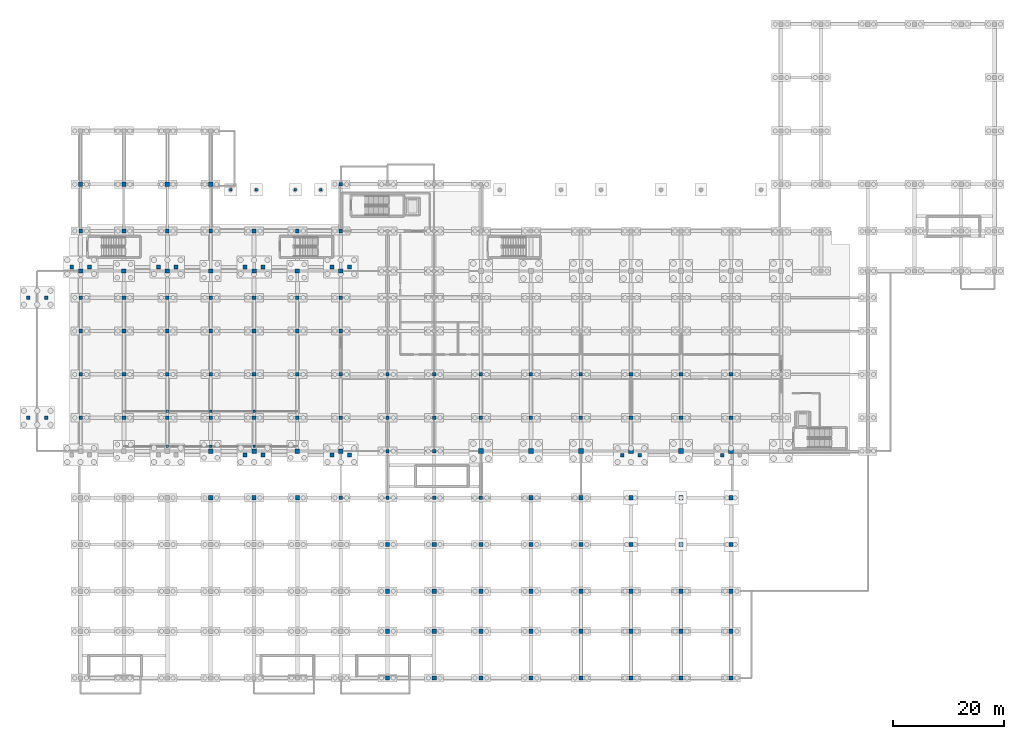
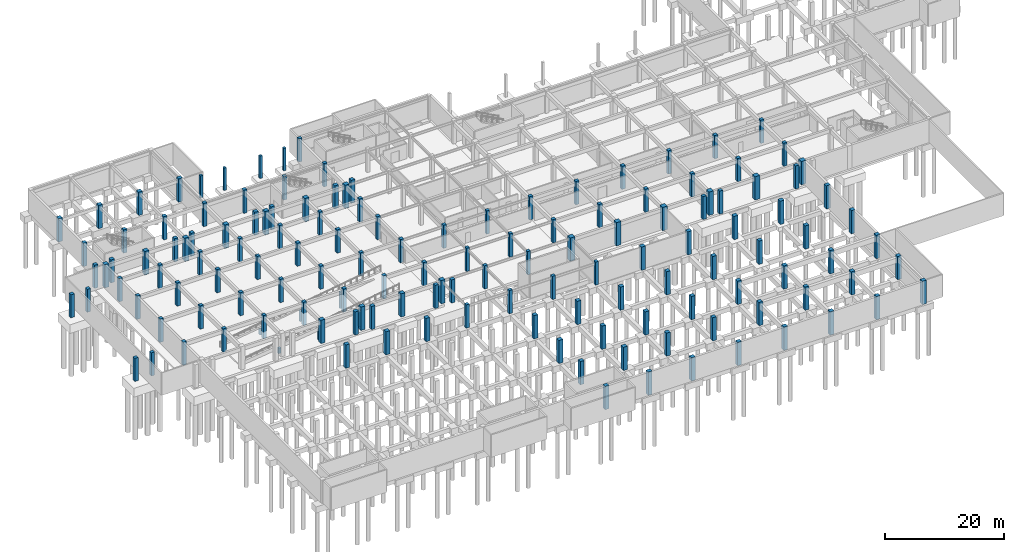
# One storey, part 10 of 26: 148 columns.
"""IFC4 building model written with IfcOpenShell, lengths in metres."""

import ifcopenshell
import ifcopenshell.guid

model = None  # the IFC model being written
_history = None  # IfcOwnerHistory: only IFC2X3 demands one
_inside = {}  # id of a spatial element -> (the spatial element, [elements in it])
_under = {}  # id of a project, library or spatial element -> (it, [spatial elements below it])
_declared = {}  # id of a project -> (the project, [libraries it declares])
_typed = {}  # id of a type object -> (the type object, [elements of that type])
_made_of = {}  # id of a material, layer set ... -> (it, [elements and type objects made of it])


def new_model(schema):
    """Start an empty IFC model of exactly this schema.

    Asked for "IFC4X3", IfcOpenShell would pick the latest addendum, in which some entities
    have other attributes; the version numbers below select the first issue.
    IFC2X3 requires an IfcOwnerHistory on every rooted entity: one is made here for all.
    """
    global model, _history
    if schema == "IFC4X3":
        model = ifcopenshell.file(schema_version=(4, 3, 0, 0))
    else:
        model = ifcopenshell.file(schema=schema)
    _inside.clear()
    _under.clear()
    _declared.clear()
    _typed.clear()
    _made_of.clear()
    _history = None
    if model.schema == "IFC2X3":
        org = make("IfcOrganization", Name="unknown")
        user = make(
            "IfcPersonAndOrganization",
            ThePerson=make("IfcPerson", FamilyName="unknown"),
            TheOrganization=org,
        )
        app = make(
            "IfcApplication",
            ApplicationDeveloper=org,
            Version="unknown",
            ApplicationFullName="unknown",
            ApplicationIdentifier="unknown",
        )
        _history = make(
            "IfcOwnerHistory",
            OwningUser=user,
            OwningApplication=app,
            ChangeAction="ADDED",
            CreationDate=0,
        )
    return model


def make(cls, **values):
    """One entity of the class cls with the attributes given. An attribute that is None is left unset."""
    return model.create_entity(
        cls, **{name: value for name, value in values.items() if value is not None}
    )


def rooted(cls, **values):
    """An entity with a GlobalId (a new one), such as an element, a storey or a relation."""
    return make(cls, GlobalId=ifcopenshell.guid.new(), OwnerHistory=_history, **values)


def si_unit(unit_type, name, prefix=None):
    """IfcSIUnit, for example si_unit("LENGTHUNIT", "METRE", prefix="MILLI")."""
    return make("IfcSIUnit", UnitType=unit_type, Prefix=prefix, Name=name)


def assignment(units):
    """IfcUnitAssignment: the units of a project."""
    return None if units is None else make("IfcUnitAssignment", Units=units)


def point(xyz):
    """IfcCartesianPoint."""
    return None if xyz is None else make("IfcCartesianPoint", Coordinates=xyz)


def direction(xyz):
    """IfcDirection."""
    return None if xyz is None else make("IfcDirection", DirectionRatios=xyz)


def frame(location, z_axis=None, x_axis=None):
    """IfcAxis2Placement3D, a coordinate frame: its origin and axes. An axis left out is left unset."""
    return make(
        "IfcAxis2Placement3D",
        Location=point(location),
        Axis=direction(z_axis),
        RefDirection=direction(x_axis),
    )


def frame_2d(location, x_axis=None):
    """IfcAxis2Placement2D, a coordinate frame in the plane: its origin and x axis."""
    return make(
        "IfcAxis2Placement2D", Location=point(location), RefDirection=direction(x_axis)
    )


def origin():
    """The frame at (0, 0, 0) with its axes left unset."""
    return frame((0.0, 0.0, 0.0))


def origin_2d():
    """The frame at (0, 0) in the plane with its x axis left unset."""
    return frame_2d((0.0, 0.0))


def place(relative_to, where):
    """IfcLocalPlacement: puts the frame where relative to a parent placement (None: the world)."""
    return make(
        "IfcLocalPlacement", PlacementRelTo=relative_to, RelativePlacement=where
    )


def context(
    kind, dimensions, precision=None, world=None, true_north=None, identifier=None
):
    """IfcGeometricRepresentationContext, for example the 3D "Model" context."""
    return make(
        "IfcGeometricRepresentationContext",
        ContextIdentifier=identifier,
        ContextType=kind,
        CoordinateSpaceDimension=dimensions,
        Precision=precision,
        WorldCoordinateSystem=world,
        TrueNorth=true_north,
    )


def subcontext(parent, identifier, kind, view, scale=None):
    """IfcGeometricRepresentationSubContext, for example "Body" below "Model"."""
    return make(
        "IfcGeometricRepresentationSubContext",
        ContextIdentifier=identifier,
        ContextType=kind,
        ParentContext=parent,
        TargetScale=scale,
        TargetView=view,
    )


def project(units=None, contexts=None):
    """IfcProject with its units and contexts."""
    return rooted(
        "IfcProject",
        Name="project",
        RepresentationContexts=contexts,
        UnitsInContext=assignment(units),
    )


def spatial(cls, under=None, at=None, **own):
    """A site, building, storey or space (cls), placed at a placement, below another one or the project."""
    s = rooted(cls, ObjectPlacement=at, **own)
    if under is not None:
        _under.setdefault(under.id(), (under, []))[1].append(s)
    return s


def profile(cls, at=None, kind="AREA", **sizes):
    """A parametric profile (cls). Its sizes go by their IFC names, for example OverallWidth=200.0."""
    return make(cls, ProfileType=kind, Position=at, **sizes)


def rectangle(**sizes):
    """IfcRectangleProfileDef."""
    return profile("IfcRectangleProfileDef", **sizes)


def extrude(swept, where, along, depth):
    """IfcExtrudedAreaSolid: the profile swept, set in the frame where, extruded along a direction by depth."""
    return make(
        "IfcExtrudedAreaSolid",
        SweptArea=swept,
        Position=where,
        ExtrudedDirection=direction(along),
        Depth=depth,
    )


def shape(context_of_items, identifier, shape_type, items):
    """IfcShapeRepresentation: the items that make up one representation, for example the "Body"."""
    return make(
        "IfcShapeRepresentation",
        ContextOfItems=context_of_items,
        RepresentationIdentifier=identifier,
        RepresentationType=shape_type,
        Items=items,
    )


def material(Name=None, Category=None):
    """IfcMaterial."""
    return make("IfcMaterial", Name=Name, Category=Category)


def material_profile(
    of_material, cross_section, Name=None, Category=None, Priority=None
):
    """IfcMaterialProfile: a cross section and its material."""
    return make(
        "IfcMaterialProfile",
        Name=Name,
        Material=of_material,
        Profile=cross_section,
        Priority=Priority,
        Category=Category,
    )


def profile_set(profiles, Name=None, composite=None):
    """IfcMaterialProfileSet."""
    return make(
        "IfcMaterialProfileSet",
        Name=Name,
        MaterialProfiles=profiles,
        CompositeProfile=composite,
    )


def made_of(thing, what):
    """Note that an element or type object is made of a material, layer set ...; save() writes the relation."""
    if what is not None:
        _made_of.setdefault(what.id(), (what, []))[1].append(thing)
    return thing


def type_object(cls, material=None, **own):
    """A type object (cls), such as IfcWallType, which elements share."""
    return made_of(rooted(cls, **own), material)


def element(
    cls,
    number,
    at=None,
    inside=None,
    cuts=None,
    type_object=None,
    material=None,
    context=None,
    identifier="Body",
    shape_type=None,
    held_by="IfcProductDefinitionShape",
    body=None,
    shapes=None,
    **own,
):
    """One element of the class cls, such as IfcWall. Its Tag is "e" and its number.

    at: its placement. inside: the storey or other place that contains it. cuts: it is an
    opening in that element (IfcRelVoidsElement). A single representation is given by context,
    identifier, shape_type and body (its items); several are given by shapes. held_by: the class
    of the entity that holds the representations. save() writes the other relations.
    """
    e = rooted(cls, Tag="e%d" % number, ObjectPlacement=at, **own)
    if body is not None:
        shapes = [shape(context, identifier, shape_type, body)]
    if shapes is not None:
        e.Representation = make(held_by, Representations=shapes)
    if inside is not None:
        _inside.setdefault(inside.id(), (inside, []))[1].append(e)
    if cuts is not None:
        rooted(
            "IfcRelVoidsElement", RelatingBuildingElement=cuts, RelatedOpeningElement=e
        )
    if type_object is not None:
        _typed.setdefault(type_object.id(), (type_object, []))[1].append(e)
    return made_of(e, material)


def aggregate(whole, parts):
    """IfcRelAggregates: a whole, such as a stair, and the parts it consists of."""
    return rooted("IfcRelAggregates", RelatingObject=whole, RelatedObjects=parts)


def save(model, path):
    """Write the relations noted so far, then the file.

    IfcRelAggregates (storeys below a building ...), IfcRelContainedInSpatialStructure (elements
    in a storey), IfcRelDefinesByType, IfcRelAssociatesMaterial and IfcRelDeclares: one each for
    every whole, place, type object, material and project.
    """
    for whole, parts in _under.values():
        aggregate(whole, parts)
    for where, things in _inside.values():
        rooted(
            "IfcRelContainedInSpatialStructure",
            RelatedElements=things,
            RelatingStructure=where,
        )
    for kind, things in _typed.values():
        rooted("IfcRelDefinesByType", RelatedObjects=things, RelatingType=kind)
    for what, things in _made_of.values():
        rooted("IfcRelAssociatesMaterial", RelatedObjects=things, RelatingMaterial=what)
    for by, libraries in _declared.values():
        rooted("IfcRelDeclares", RelatingContext=by, RelatedDefinitions=libraries)
    model.write(path)


model = new_model("IFC4")

# Units and contexts
model_context = context("Model", 3, precision=1e-05, world=origin(), true_north=direction((0.0, 1.0)))
body_context = subcontext(model_context, "Body", "Model", "MODEL_VIEW")
ifc_project = project(units=[si_unit("LENGTHUNIT", "METRE"), si_unit("AREAUNIT", "SQUARE_METRE"), si_unit("VOLUMEUNIT", "CUBIC_METRE"), si_unit("PLANEANGLEUNIT", "RADIAN"), si_unit("MASSUNIT", "GRAM", prefix="KILO")], contexts=[model_context])

# Site, building, storey
site_placement = place(None, origin())
site = spatial("IfcSite", under=ifc_project, at=site_placement, CompositionType="ELEMENT")
building_placement = place(site_placement, origin())
building = spatial("IfcBuilding", under=site, at=building_placement, Name="Tizgana Railside Sports Hall", CompositionType="ELEMENT")
storey_placement = place(building_placement, frame((0.0, 0.0, -4.800048828125)))
storey = spatial("IfcBuildingStorey", under=building, at=storey_placement, Name="B1", CompositionType="ELEMENT", Elevation=-4.800048828125)

# Columns
ifc_material_1 = material(Name="Concrete C35/45", Category="concrete")
ifc_material_profile_1 = material_profile(ifc_material_1, rectangle(XDim=0.449951171875, YDim=0.449951171875, at=origin_2d()), Name="RC 450x450")
ifc_profile_set_1 = profile_set([ifc_material_profile_1], Name="Concrete C35/45")
column_type_1 = type_object("IfcColumnType", Name="Concrete Column RC 450x450", PredefinedType="COLUMN", material=ifc_profile_set_1)
for number, where, z_axis, x_axis, name in (
    (1, (23.39990234375, 41.64990234375, 0.0), (0.0, 0.0, 1.0), (1.0, 0.0, 0.0), "B1 COL-0921"),
    (2, (23.39990234375, 47.949951171875, 0.0), (0.0, 0.0, 1.0), (1.0, 0.0, 0.0), "B1 COL-0922"),
):
    element("IfcColumn", number, at=place(storey_placement, frame(where, z_axis=z_axis, x_axis=x_axis)), inside=storey, type_object=column_type_1, Name=name, PredefinedType="COLUMN", context=body_context, shape_type="SweptSolid", body=[
        extrude(rectangle(XDim=0.449951171875, YDim=0.449951171875, at=origin_2d()), origin(), (0.0, 0.0, 1.0), 1.080078125),
    ])
for number, where, z_axis, x_axis, name in (
    (3, (31.199951171875, 41.64990234375, 0.0), (0.0, 0.0, 1.0), (1.0, 0.0, 0.0), "B1 COL-0923"),
    (4, (31.199951171875, 47.949951171875, 0.0), (0.0, 0.0, 1.0), (1.0, 0.0, 0.0), "B1 COL-0924"),
):
    element("IfcColumn", number, at=place(storey_placement, frame(where, z_axis=z_axis, x_axis=x_axis)), inside=storey, type_object=column_type_1, Name=name, PredefinedType="COLUMN", context=body_context, shape_type="SweptSolid", body=[
        extrude(rectangle(XDim=0.449951171875, YDim=0.449951171875, at=origin_2d()), origin(), (0.0, 0.0, 1.0), 2.199951171875),
    ])
for number, where, z_axis, x_axis, name in (
    (5, (39.0, 41.64990234375, 0.0), (0.0, 0.0, 1.0), (1.0, 0.0, 0.0), "B1 COL-0925"),
    (6, (39.0, 47.949951171875, 0.0), (0.0, 0.0, 1.0), (1.0, 0.0, 0.0), "B1 COL-0926"),
):
    element("IfcColumn", number, at=place(storey_placement, frame(where, z_axis=z_axis, x_axis=x_axis)), inside=storey, type_object=column_type_1, Name=name, PredefinedType="COLUMN", context=body_context, shape_type="SweptSolid", body=[
        extrude(rectangle(XDim=0.449951171875, YDim=0.449951171875, at=origin_2d()), origin(), (0.0, 0.0, 1.0), 3.320068359375),
    ])
for number, where, z_axis, x_axis, name in (
    (7, (34.800048828125, 87.800048828125, 0.0), (0.0, 0.0, 1.0), (1.0, 0.0, 0.0), "B1 COL-0927"),
    (8, (39.39990234375, 87.800048828125, 0.0), (0.0, 0.0, 1.0), (1.0, 0.0, 0.0), "B1 COL-0928"),
    (9, (46.39990234375, 87.800048828125, 0.0), (0.0, 0.0, 1.0), (1.0, 0.0, 0.0), "B1 COL-0929"),
    (10, (51.0, 87.800048828125, 0.0), (0.0, 0.0, 1.0), (1.0, 0.0, 0.0), "B1 COL-0930"),
):
    element("IfcColumn", number, at=place(storey_placement, frame(where, z_axis=z_axis, x_axis=x_axis)), inside=storey, type_object=column_type_1, Name=name, PredefinedType="COLUMN", context=body_context, shape_type="SweptSolid", body=[
        extrude(rectangle(XDim=0.449951171875, YDim=0.449951171875, at=origin_2d()), origin(), (0.0, 0.0, 1.0), 4.630126953125),
    ])
ifc_material_2 = material(Name="Concrete C40/50", Category="concrete")
ifc_material_profile_2 = material_profile(ifc_material_2, rectangle(XDim=0.60009765625, YDim=0.60009765625, at=origin_2d()), Name="RC 600x600")
ifc_profile_set_2 = profile_set([ifc_material_profile_2], Name="Concrete C40/50")
column_type_2 = type_object("IfcColumnType", Name="Concrete Column RC 600x600", PredefinedType="COLUMN", material=ifc_profile_set_2)
for number, where, z_axis, x_axis, name in (
    (11, (54.60009765625, 32.39990234375, 0.0), (0.0, 0.0, 1.0), (1.0, 0.0, 0.0), "B1 COL-0184"),
    (12, (54.60009765625, 88.800048828125, 0.0), (0.0, 0.0, 1.0), (1.0, 0.0, 0.0), "B1 COL-0187"),
    (13, (63.0, 32.39990234375, 0.0), (0.0, 0.0, 1.0), (1.0, 0.0, 0.0), "B1 COL-0190"),
    (14, (63.0, 40.800048828125, 0.0), (0.0, 0.0, 1.0), (1.0, 0.0, 0.0), "B1 COL-0193"),
    (15, (63.0, 46.800048828125, 0.0), (0.0, 0.0, 1.0), (1.0, 0.0, 0.0), "B1 COL-0196"),
    (16, (63.0, 54.60009765625, 0.0), (0.0, 0.0, 1.0), (1.0, 0.0, 0.0), "B1 COL-0199"),
    (17, (71.39990234375, 32.39990234375, 0.0), (0.0, 0.0, 1.0), (1.0, 0.0, 0.0), "B1 COL-0217"),
    (18, (71.39990234375, 40.800048828125, 0.0), (0.0, 0.0, 1.0), (1.0, 0.0, 0.0), "B1 COL-0220"),
    (19, (71.39990234375, 46.800048828125, 0.0), (0.0, 0.0, 1.0), (1.0, 0.0, 0.0), "B1 COL-0223"),
    (20, (71.39990234375, 54.60009765625, 0.0), (0.0, 0.0, 1.0), (1.0, 0.0, 0.0), "B1 COL-0226"),
    (21, (79.800048828125, 32.39990234375, 0.0), (0.0, 0.0, 1.0), (1.0, 0.0, 0.0), "B1 COL-0244"),
):
    element("IfcColumn", number, at=place(storey_placement, frame(where, z_axis=z_axis, x_axis=x_axis)), inside=storey, type_object=column_type_2, Name=name, PredefinedType="COLUMN", context=body_context, shape_type="SweptSolid", body=[
        extrude(rectangle(XDim=0.60009765625, YDim=0.60009765625, at=origin_2d()), origin(), (0.0, 0.0, 1.0), 4.800048828125),
    ])
ifc_material_profile_3 = material_profile(ifc_material_2, rectangle(XDim=0.64990234375, YDim=0.64990234375, at=origin_2d()), Name="RC 650x650")
ifc_profile_set_3 = profile_set([ifc_material_profile_3], Name="Concrete C40/50")
column_type_3 = type_object("IfcColumnType", Name="Concrete Column RC 650x650", PredefinedType="COLUMN", material=ifc_profile_set_3)
for number, where, z_axis, x_axis, name in (
    (22, (7.800048828125, 46.800048828125, 0.0), (0.0, 0.0, 1.0), (1.0, 0.0, 0.0), "B1 COL-0009"),
    (23, (7.800048828125, 54.60009765625, 0.0), (0.0, 0.0, 1.0), (1.0, 0.0, 0.0), "B1 COL-0011"),
    (24, (7.800048828125, 62.39990234375, 0.0), (0.0, 0.0, 1.0), (1.0, 0.0, 0.0), "B1 COL-0013"),
    (25, (7.800048828125, 68.39990234375, 0.0), (0.0, 0.0, 1.0), (1.0, 0.0, 0.0), "B1 COL-0015"),
    (26, (7.800048828125, 80.39990234375, 0.0), (0.0, 0.0, 1.0), (1.0, 0.0, 0.0), "B1 COL-0025"),
    (27, (15.60009765625, 46.800048828125, 0.0), (0.0, 0.0, 1.0), (1.0, 0.0, 0.0), "B1 COL-0033"),
    (28, (15.60009765625, 54.60009765625, 0.0), (0.0, 0.0, 1.0), (1.0, 0.0, 0.0), "B1 COL-0035"),
    (29, (15.60009765625, 62.39990234375, 0.0), (0.0, 0.0, 1.0), (1.0, 0.0, 0.0), "B1 COL-0037"),
    (30, (15.60009765625, 68.39990234375, 0.0), (0.0, 0.0, 1.0), (1.0, 0.0, 0.0), "B1 COL-0039"),
    (31, (15.60009765625, 80.39990234375, 0.0), (0.0, 0.0, 1.0), (1.0, 0.0, 0.0), "B1 COL-0045"),
    (32, (23.39990234375, 46.800048828125, 0.0), (0.0, 0.0, 1.0), (1.0, 0.0, 0.0), "B1 COL-0057"),
    (33, (23.39990234375, 54.60009765625, 0.0), (0.0, 0.0, 1.0), (1.0, 0.0, 0.0), "B1 COL-0059"),
    (34, (23.39990234375, 62.39990234375, 0.0), (0.0, 0.0, 1.0), (1.0, 0.0, 0.0), "B1 COL-0061"),
    (35, (23.39990234375, 68.39990234375, 0.0), (0.0, 0.0, 1.0), (1.0, 0.0, 0.0), "B1 COL-0063"),
    (36, (23.39990234375, 80.39990234375, 0.0), (0.0, 0.0, 1.0), (1.0, 0.0, 0.0), "B1 COL-0073"),
    (37, (31.199951171875, 46.800048828125, 0.0), (0.0, 0.0, 1.0), (1.0, 0.0, 0.0), "B1 COL-0081"),
    (38, (31.199951171875, 54.60009765625, 0.0), (0.0, 0.0, 1.0), (1.0, 0.0, 0.0), "B1 COL-0083"),
    (39, (31.199951171875, 62.39990234375, 0.0), (0.0, 0.0, 1.0), (1.0, 0.0, 0.0), "B1 COL-0085"),
    (40, (31.199951171875, 68.39990234375, 0.0), (0.0, 0.0, 1.0), (1.0, 0.0, 0.0), "B1 COL-0087"),
    (41, (31.199951171875, 80.39990234375, 0.0), (0.0, 0.0, 1.0), (1.0, 0.0, 0.0), "B1 COL-0093"),
    (42, (39.0, 46.800048828125, 0.0), (0.0, 0.0, 1.0), (1.0, 0.0, 0.0), "B1 COL-0105"),
    (43, (39.0, 54.60009765625, 0.0), (0.0, 0.0, 1.0), (1.0, 0.0, 0.0), "B1 COL-0107"),
    (44, (39.0, 62.39990234375, 0.0), (0.0, 0.0, 1.0), (1.0, 0.0, 0.0), "B1 COL-0109"),
    (45, (39.0, 68.39990234375, 0.0), (0.0, 0.0, 1.0), (1.0, 0.0, 0.0), "B1 COL-0111"),
    (46, (39.0, 80.39990234375, 0.0), (0.0, 0.0, 1.0), (1.0, 0.0, 0.0), "B1 COL-0121"),
    (47, (46.800048828125, 46.800048828125, 0.0), (0.0, 0.0, 1.0), (1.0, 0.0, 0.0), "B1 COL-0129"),
    (48, (46.800048828125, 54.60009765625, 0.0), (0.0, 0.0, 1.0), (1.0, 0.0, 0.0), "B1 COL-0131"),
    (49, (46.800048828125, 62.39990234375, 0.0), (0.0, 0.0, 1.0), (1.0, 0.0, 0.0), "B1 COL-0133"),
    (50, (46.800048828125, 68.39990234375, 0.0), (0.0, 0.0, 1.0), (1.0, 0.0, 0.0), "B1 COL-0135"),
    (51, (46.800048828125, 80.39990234375, 0.0), (0.0, 0.0, 1.0), (1.0, 0.0, 0.0), "B1 COL-0141"),
    (52, (54.60009765625, 46.800048828125, 0.0), (0.0, 0.0, 1.0), (1.0, 0.0, 0.0), "B1 COL-0153"),
    (53, (54.60009765625, 54.60009765625, 0.0), (0.0, 0.0, 1.0), (1.0, 0.0, 0.0), "B1 COL-0155"),
    (54, (54.60009765625, 62.39990234375, 0.0), (0.0, 0.0, 1.0), (1.0, 0.0, 0.0), "B1 COL-0158"),
    (55, (54.60009765625, 68.39990234375, 0.0), (0.0, 0.0, 1.0), (1.0, 0.0, 0.0), "B1 COL-0161"),
    (56, (54.60009765625, 80.39990234375, 0.0), (0.0, 0.0, 1.0), (1.0, 0.0, 0.0), "B1 COL-0172"),
):
    element("IfcColumn", number, at=place(storey_placement, frame(where, z_axis=z_axis, x_axis=x_axis)), inside=storey, type_object=column_type_3, Name=name, PredefinedType="COLUMN", context=body_context, shape_type="SweptSolid", body=[
        extrude(rectangle(XDim=0.64990234375, YDim=0.64990234375, at=origin_2d()), origin(), (0.0, 0.0, 1.0), 4.800048828125),
    ])
for number, where, z_axis, x_axis, name in (
    (57, (-1.594970703125, 46.800048828125, 0.0), (0.0, 0.0, 1.0), (1.0, 0.0, 0.0), "B1 COL-0177"),
    (58, (1.594970703125, 46.800048828125, 0.0), (0.0, 0.0, 1.0), (1.0, 0.0, 0.0), "B1 COL-0179"),
    (59, (-1.594970703125, 68.39990234375, 0.0), (0.0, 0.0, 1.0), (1.0, 0.0, 0.0), "B1 COL-0181"),
    (60, (1.594970703125, 68.39990234375, 0.0), (0.0, 0.0, 1.0), (1.0, 0.0, 0.0), "B1 COL-0183"),
):
    element("IfcColumn", number, at=place(storey_placement, frame(where, z_axis=z_axis, x_axis=x_axis)), inside=storey, type_object=column_type_3, Name=name, PredefinedType="COLUMN", context=body_context, shape_type="SweptSolid", body=[
        extrude(rectangle(XDim=0.64990234375, YDim=0.64990234375, at=origin_2d()), origin(), (0.0, 0.0, 1.0), 4.755126953125),
    ])
for number, where, z_axis, x_axis, name in (
    (61, (79.800048828125, 46.800048828125, 0.0), (0.0, 0.0, 1.0), (1.0, 0.0, 0.0), "B1 COL-0256"),
    (62, (79.800048828125, 54.60009765625, 0.0), (0.0, 0.0, 1.0), (1.0, 0.0, 0.0), "B1 COL-0259"),
    (63, (88.800048828125, 46.800048828125, 0.0), (0.0, 0.0, 1.0), (1.0, 0.0, 0.0), "B1 COL-0285"),
    (64, (88.800048828125, 54.60009765625, 0.0), (0.0, 0.0, 1.0), (1.0, 0.0, 0.0), "B1 COL-0286"),
    (65, (97.800048828125, 46.800048828125, 0.0), (0.0, 0.0, 1.0), (1.0, 0.0, 0.0), "B1 COL-0306"),
    (66, (97.800048828125, 54.60009765625, 0.0), (0.0, 0.0, 1.0), (1.0, 0.0, 0.0), "B1 COL-0307"),
):
    element("IfcColumn", number, at=place(storey_placement, frame(where, z_axis=z_axis, x_axis=x_axis)), inside=storey, type_object=column_type_3, Name=name, PredefinedType="COLUMN", context=body_context, shape_type="SweptSolid", body=[
        extrude(rectangle(XDim=0.64990234375, YDim=0.64990234375, at=origin_2d()), origin(), (0.0, 0.0, 1.0), 4.800048828125),
    ])
for number, where, z_axis, x_axis, name in (
    (67, (105.205078125, 40.080078125, 0.0), (0.0, 0.0, 1.0), (1.0, 0.0, 0.0), "B1 COL-0325"),
    (68, (108.39501953125, 40.080078125, 0.0), (0.0, 0.0, 1.0), (1.0, 0.0, 0.0), "B1 COL-0327"),
):
    element("IfcColumn", number, at=place(storey_placement, frame(where, z_axis=z_axis, x_axis=x_axis)), inside=storey, type_object=column_type_3, Name=name, PredefinedType="COLUMN", context=body_context, shape_type="SweptSolid", body=[
        extrude(rectangle(XDim=0.64990234375, YDim=0.64990234375, at=origin_2d()), origin(), (0.0, 0.0, 1.0), 4.755126953125),
    ])
for number, where, z_axis, x_axis, name in (
    (69, (106.800048828125, 46.800048828125, 0.0), (0.0, 0.0, 1.0), (1.0, 0.0, 0.0), "B1 COL-0331"),
    (70, (106.800048828125, 54.60009765625, 0.0), (0.0, 0.0, 1.0), (1.0, 0.0, 0.0), "B1 COL-0332"),
    (71, (115.800048828125, 46.800048828125, 0.0), (0.0, 0.0, 1.0), (1.0, 0.0, 0.0), "B1 COL-0352"),
    (72, (115.800048828125, 54.60009765625, 0.0), (0.0, 0.0, 1.0), (1.0, 0.0, 0.0), "B1 COL-0353"),
):
    element("IfcColumn", number, at=place(storey_placement, frame(where, z_axis=z_axis, x_axis=x_axis)), inside=storey, type_object=column_type_3, Name=name, PredefinedType="COLUMN", context=body_context, shape_type="SweptSolid", body=[
        extrude(rectangle(XDim=0.64990234375, YDim=0.64990234375, at=origin_2d()), origin(), (0.0, 0.0, 1.0), 4.800048828125),
    ])
column_placement = place(storey_placement, frame((123.205078125, 40.080078125, 0.0), z_axis=(0.0, 0.0, 1.0), x_axis=(1.0, 0.0, 0.0)))
element("IfcColumn", 73, at=column_placement, inside=storey, type_object=column_type_3, Name="B1 COL-0371", PredefinedType="COLUMN", context=body_context, shape_type="SweptSolid", body=[
    extrude(rectangle(XDim=0.64990234375, YDim=0.64990234375, at=origin_2d()), origin(), (0.0, 0.0, 1.0), 4.755126953125),
])
for number, where, z_axis, x_axis, name in (
    (74, (124.800048828125, 46.800048828125, 0.0), (0.0, 0.0, 1.0), (1.0, 0.0, 0.0), "B1 COL-0377"),
    (75, (124.800048828125, 54.60009765625, 0.0), (0.0, 0.0, 1.0), (1.0, 0.0, 0.0), "B1 COL-0378"),
):
    element("IfcColumn", number, at=place(storey_placement, frame(where, z_axis=z_axis, x_axis=x_axis)), inside=storey, type_object=column_type_3, Name=name, PredefinedType="COLUMN", context=body_context, shape_type="SweptSolid", body=[
        extrude(rectangle(XDim=0.64990234375, YDim=0.64990234375, at=origin_2d()), origin(), (0.0, 0.0, 1.0), 4.800048828125),
    ])
ifc_material_profile_4 = material_profile(ifc_material_2, rectangle(XDim=0.699951171875, YDim=0.699951171875, at=origin_2d()), Name="RC 700x700")
ifc_profile_set_4 = profile_set([ifc_material_profile_4], Name="Concrete C40/50")
column_type_4 = type_object("IfcColumnType", Name="Concrete Column RC 700x700", PredefinedType="COLUMN", material=ifc_profile_set_4)
for number, where, z_axis, x_axis, name in (
    (76, (6.205078125, 73.919921875, 0.0), (0.0, 0.0, 1.0), (1.0, 0.0, 0.0), "B1 COL-0020"),
    (77, (9.39501953125, 73.919921875, 0.0), (0.0, 0.0, 1.0), (1.0, 0.0, 0.0), "B1 COL-0022"),
    (78, (21.804931640625, 73.919921875, 0.0), (0.0, 0.0, 1.0), (1.0, 0.0, 0.0), "B1 COL-0068"),
    (79, (24.9951171875, 73.919921875, 0.0), (0.0, 0.0, 1.0), (1.0, 0.0, 0.0), "B1 COL-0070"),
    (80, (37.405029296875, 40.080078125, 0.0), (0.0, 0.0, 1.0), (1.0, 0.0, 0.0), "B1 COL-0100"),
    (81, (40.594970703125, 40.080078125, 0.0), (0.0, 0.0, 1.0), (1.0, 0.0, 0.0), "B1 COL-0102"),
    (82, (37.405029296875, 73.919921875, 0.0), (0.0, 0.0, 1.0), (1.0, 0.0, 0.0), "B1 COL-0116"),
    (83, (40.594970703125, 73.919921875, 0.0), (0.0, 0.0, 1.0), (1.0, 0.0, 0.0), "B1 COL-0118"),
    (84, (53.0048828125, 40.080078125, 0.0), (0.0, 0.0, 1.0), (1.0, 0.0, 0.0), "B1 COL-0148"),
    (85, (56.195068359375, 40.080078125, 0.0), (0.0, 0.0, 1.0), (1.0, 0.0, 0.0), "B1 COL-0150"),
    (86, (53.0048828125, 73.919921875, 0.0), (0.0, 0.0, 1.0), (1.0, 0.0, 0.0), "B1 COL-0167"),
    (87, (56.195068359375, 73.919921875, 0.0), (0.0, 0.0, 1.0), (1.0, 0.0, 0.0), "B1 COL-0169"),
):
    element("IfcColumn", number, at=place(storey_placement, frame(where, z_axis=z_axis, x_axis=x_axis)), inside=storey, type_object=column_type_4, Name=name, PredefinedType="COLUMN", context=body_context, shape_type="SweptSolid", body=[
        extrude(rectangle(XDim=0.699951171875, YDim=0.699951171875, at=origin_2d()), origin(), (0.0, 0.0, 1.0), 4.755126953125),
    ])
ifc_material_profile_5 = material_profile(ifc_material_2, rectangle(XDim=0.75, YDim=0.75, at=origin_2d()), Name="RC 750x750")
ifc_profile_set_5 = profile_set([ifc_material_profile_5], Name="Concrete C40/50")
column_type_5 = type_object("IfcColumnType", Name="Concrete Column RC 750x750", PredefinedType="COLUMN", material=ifc_profile_set_5)
for number, where, z_axis, x_axis, name in (
    (88, (31.199951171875, 32.39990234375, 0.0), (0.0, 0.0, 1.0), (1.0, 0.0, 0.0), "B1 COL-0656"),
    (89, (39.0, 32.39990234375, 0.0), (0.0, 0.0, 1.0), (1.0, 0.0, 0.0), "B1 COL-0686"),
    (90, (46.800048828125, 32.39990234375, 0.0), (0.0, 0.0, 1.0), (1.0, 0.0, 0.0), "B1 COL-0716"),
    (91, (63.0, 0.0, 0.0), (0.0, 0.0, 1.0), (1.0, 0.0, 0.0), "B1 COL-0749"),
    (92, (63.0, 8.39990234375, 0.0), (0.0, 0.0, 1.0), (1.0, 0.0, 0.0), "B1 COL-0755"),
    (93, (63.0, 15.60009765625, 0.0), (0.0, 0.0, 1.0), (1.0, 0.0, 0.0), "B1 COL-0761"),
    (94, (63.0, 24.0, 0.0), (0.0, 0.0, 1.0), (1.0, 0.0, 0.0), "B1 COL-0767"),
    (95, (71.39990234375, 0.0, 0.0), (0.0, 0.0, 1.0), (1.0, 0.0, 0.0), "B1 COL-0776"),
    (96, (71.39990234375, 8.39990234375, 0.0), (0.0, 0.0, 1.0), (1.0, 0.0, 0.0), "B1 COL-0781"),
    (97, (71.39990234375, 15.60009765625, 0.0), (0.0, 0.0, 1.0), (1.0, 0.0, 0.0), "B1 COL-0786"),
    (98, (71.39990234375, 24.0, 0.0), (0.0, 0.0, 1.0), (1.0, 0.0, 0.0), "B1 COL-0791"),
    (99, (79.800048828125, 0.0, 0.0), (0.0, 0.0, 1.0), (1.0, 0.0, 0.0), "B1 COL-0798"),
    (100, (79.800048828125, 8.39990234375, 0.0), (0.0, 0.0, 1.0), (1.0, 0.0, 0.0), "B1 COL-0803"),
    (101, (79.800048828125, 15.60009765625, 0.0), (0.0, 0.0, 1.0), (1.0, 0.0, 0.0), "B1 COL-0808"),
    (102, (79.800048828125, 24.0, 0.0), (0.0, 0.0, 1.0), (1.0, 0.0, 0.0), "B1 COL-0813"),
    (103, (88.800048828125, 0.0, 0.0), (0.0, 0.0, 1.0), (1.0, 0.0, 0.0), "B1 COL-0820"),
    (104, (88.800048828125, 8.39990234375, 0.0), (0.0, 0.0, 1.0), (1.0, 0.0, 0.0), "B1 COL-0824"),
    (105, (88.800048828125, 15.60009765625, 0.0), (0.0, 0.0, 1.0), (1.0, 0.0, 0.0), "B1 COL-0828"),
    (106, (88.800048828125, 24.0, 0.0), (0.0, 0.0, 1.0), (1.0, 0.0, 0.0), "B1 COL-0832"),
    (107, (88.800048828125, 32.39990234375, 0.0), (0.0, 0.0, 1.0), (1.0, 0.0, 0.0), "B1 COL-0836"),
    (108, (97.800048828125, 0.0, 0.0), (0.0, 0.0, 1.0), (1.0, 0.0, 0.0), "B1 COL-0840"),
    (109, (97.800048828125, 8.39990234375, 0.0), (0.0, 0.0, 1.0), (1.0, 0.0, 0.0), "B1 COL-0844"),
    (110, (97.800048828125, 15.60009765625, 0.0), (0.0, 0.0, 1.0), (1.0, 0.0, 0.0), "B1 COL-0848"),
    (111, (97.800048828125, 24.0, 0.0), (0.0, 0.0, 1.0), (1.0, 0.0, 0.0), "B1 COL-0852"),
    (112, (97.800048828125, 32.39990234375, 0.0), (0.0, 0.0, 1.0), (1.0, 0.0, 0.0), "B1 COL-0856"),
    (113, (106.800048828125, 24.0, 0.0), (0.0, 0.0, 1.0), (1.0, 0.0, 0.0), "B1 COL-0860"),
    (114, (106.800048828125, 32.39990234375, 0.0), (0.0, 0.0, 1.0), (1.0, 0.0, 0.0), "B1 COL-0862"),
    (115, (115.800048828125, 24.0, 0.0), (0.0, 0.0, 1.0), (1.0, 0.0, 0.0), "B1 COL-0864"),
    (116, (115.800048828125, 32.39990234375, 0.0), (0.0, 0.0, 1.0), (1.0, 0.0, 0.0), "B1 COL-0866"),
    (117, (124.800048828125, 24.0, 0.0), (0.0, 0.0, 1.0), (1.0, 0.0, 0.0), "B1 COL-0868"),
    (118, (124.800048828125, 32.39990234375, 0.0), (0.0, 0.0, 1.0), (1.0, 0.0, 0.0), "B1 COL-0870"),
    (119, (7.800048828125, 88.800048828125, 0.0), (0.0, 0.0, 1.0), (1.0, 0.0, 0.0), "B1 COL-0872"),
    (120, (15.60009765625, 88.800048828125, 0.0), (0.0, 0.0, 1.0), (1.0, 0.0, 0.0), "B1 COL-0876"),
    (121, (23.39990234375, 88.800048828125, 0.0), (0.0, 0.0, 1.0), (1.0, 0.0, 0.0), "B1 COL-0880"),
    (122, (31.199951171875, 88.800048828125, 0.0), (0.0, 0.0, 1.0), (1.0, 0.0, 0.0), "B1 COL-0884"),
    (123, (106.800048828125, 0.0, 0.0), (0.0, 0.0, 1.0), (1.0, 0.0, 0.0), "B1 COL-0888"),
    (124, (106.800048828125, 8.39990234375, 0.0), (0.0, 0.0, 1.0), (1.0, 0.0, 0.0), "B1 COL-0890"),
    (125, (106.800048828125, 15.60009765625, 0.0), (0.0, 0.0, 1.0), (1.0, 0.0, 0.0), "B1 COL-0892"),
    (126, (115.800048828125, 0.0, 0.0), (0.0, 0.0, 1.0), (1.0, 0.0, 0.0), "B1 COL-0894"),
    (127, (115.800048828125, 8.39990234375, 0.0), (0.0, 0.0, 1.0), (1.0, 0.0, 0.0), "B1 COL-0896"),
    (128, (115.800048828125, 15.60009765625, 0.0), (0.0, 0.0, 1.0), (1.0, 0.0, 0.0), "B1 COL-0898"),
    (129, (124.800048828125, 0.0, 0.0), (0.0, 0.0, 1.0), (1.0, 0.0, 0.0), "B1 COL-0900"),
    (130, (124.800048828125, 8.39990234375, 0.0), (0.0, 0.0, 1.0), (1.0, 0.0, 0.0), "B1 COL-0902"),
    (131, (124.800048828125, 15.60009765625, 0.0), (0.0, 0.0, 1.0), (1.0, 0.0, 0.0), "B1 COL-0904"),
):
    element("IfcColumn", number, at=place(storey_placement, frame(where, z_axis=z_axis, x_axis=x_axis)), inside=storey, type_object=column_type_5, Name=name, PredefinedType="COLUMN", context=body_context, shape_type="SweptSolid", body=[
        extrude(rectangle(XDim=0.75, YDim=0.75, at=origin_2d()), origin(), (0.0, 0.0, 1.0), 4.800048828125),
    ])
ifc_material_profile_6 = material_profile(ifc_material_2, rectangle(XDim=0.800048828125, YDim=0.800048828125, at=origin_2d()), Name="RC 800x800")
ifc_profile_set_6 = profile_set([ifc_material_profile_6], Name="Concrete C40/50")
column_type_6 = type_object("IfcColumnType", Name="Concrete Column RC 800x800", PredefinedType="COLUMN", material=ifc_profile_set_6)
for number, where, z_axis, x_axis, name in (
    (132, (7.800048828125, 73.199951171875, 0.0), (0.0, 0.0, 1.0), (1.0, 0.0, 0.0), "B1 COL-0017"),
    (133, (15.60009765625, 73.199951171875, 0.0), (0.0, 0.0, 1.0), (1.0, 0.0, 0.0), "B1 COL-0041"),
    (134, (23.39990234375, 73.199951171875, 0.0), (0.0, 0.0, 1.0), (1.0, 0.0, 0.0), "B1 COL-0065"),
    (135, (31.199951171875, 40.800048828125, 0.0), (0.0, 0.0, 1.0), (1.0, 0.0, 0.0), "B1 COL-0077"),
    (136, (31.199951171875, 73.199951171875, 0.0), (0.0, 0.0, 1.0), (1.0, 0.0, 0.0), "B1 COL-0089"),
    (137, (39.0, 40.800048828125, 0.0), (0.0, 0.0, 1.0), (1.0, 0.0, 0.0), "B1 COL-0097"),
    (138, (39.0, 73.199951171875, 0.0), (0.0, 0.0, 1.0), (1.0, 0.0, 0.0), "B1 COL-0113"),
    (139, (46.800048828125, 40.800048828125, 0.0), (0.0, 0.0, 1.0), (1.0, 0.0, 0.0), "B1 COL-0125"),
    (140, (46.800048828125, 73.199951171875, 0.0), (0.0, 0.0, 1.0), (1.0, 0.0, 0.0), "B1 COL-0137"),
    (141, (54.60009765625, 40.800048828125, 0.0), (0.0, 0.0, 1.0), (1.0, 0.0, 0.0), "B1 COL-0145"),
    (142, (54.60009765625, 73.199951171875, 0.0), (0.0, 0.0, 1.0), (1.0, 0.0, 0.0), "B1 COL-0164"),
):
    element("IfcColumn", number, at=place(storey_placement, frame(where, z_axis=z_axis, x_axis=x_axis)), inside=storey, type_object=column_type_6, Name=name, PredefinedType="COLUMN", context=body_context, shape_type="SweptSolid", body=[
        extrude(rectangle(XDim=0.800048828125, YDim=0.800048828125, at=origin_2d()), origin(), (0.0, 0.0, 1.0), 4.800048828125),
    ])
ifc_material_profile_7 = material_profile(ifc_material_2, rectangle(XDim=0.89990234375, YDim=0.89990234375, at=origin_2d()), Name="RC 900x900")
ifc_profile_set_7 = profile_set([ifc_material_profile_7], Name="Concrete C40/50")
column_type_7 = type_object("IfcColumnType", Name="Concrete Column RC 900x900", PredefinedType="COLUMN", material=ifc_profile_set_7)
for number, where, z_axis, x_axis, name in (
    (143, (79.800048828125, 40.800048828125, 0.0), (0.0, 0.0, 1.0), (1.0, 0.0, 0.0), "B1 COL-0250"),
    (144, (88.800048828125, 40.800048828125, 0.0), (0.0, 0.0, 1.0), (1.0, 0.0, 0.0), "B1 COL-0279"),
    (145, (97.800048828125, 40.800048828125, 0.0), (0.0, 0.0, 1.0), (1.0, 0.0, 0.0), "B1 COL-0300"),
    (146, (106.800048828125, 40.800048828125, 0.0), (0.0, 0.0, 1.0), (1.0, 0.0, 0.0), "B1 COL-0321"),
    (147, (115.800048828125, 40.800048828125, 0.0), (0.0, 0.0, 1.0), (1.0, 0.0, 0.0), "B1 COL-0346"),
    (148, (124.800048828125, 40.800048828125, 0.0), (0.0, 0.0, 1.0), (1.0, 0.0, 0.0), "B1 COL-0367"),
):
    element("IfcColumn", number, at=place(storey_placement, frame(where, z_axis=z_axis, x_axis=x_axis)), inside=storey, type_object=column_type_7, Name=name, PredefinedType="COLUMN", context=body_context, shape_type="SweptSolid", body=[
        extrude(rectangle(XDim=0.89990234375, YDim=0.89990234375, at=origin_2d()), origin(), (0.0, 0.0, 1.0), 4.800048828125),
    ])

save(model, "model.ifc")
